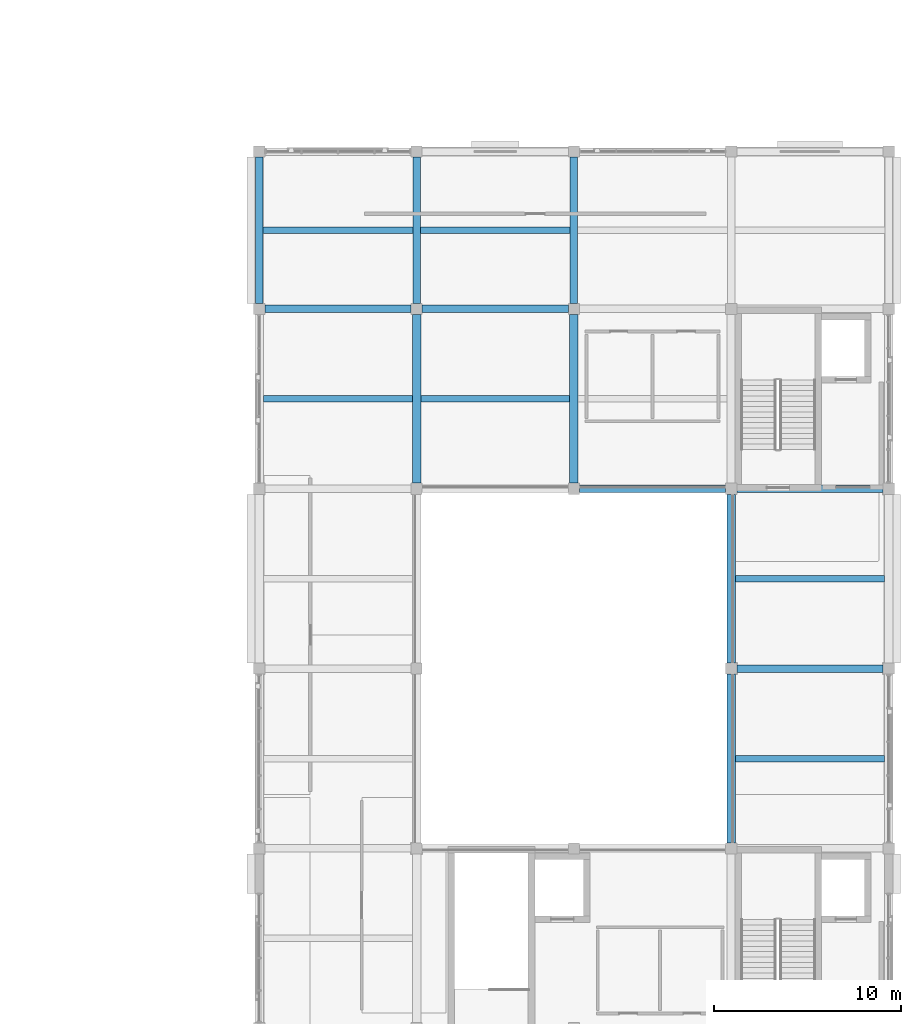
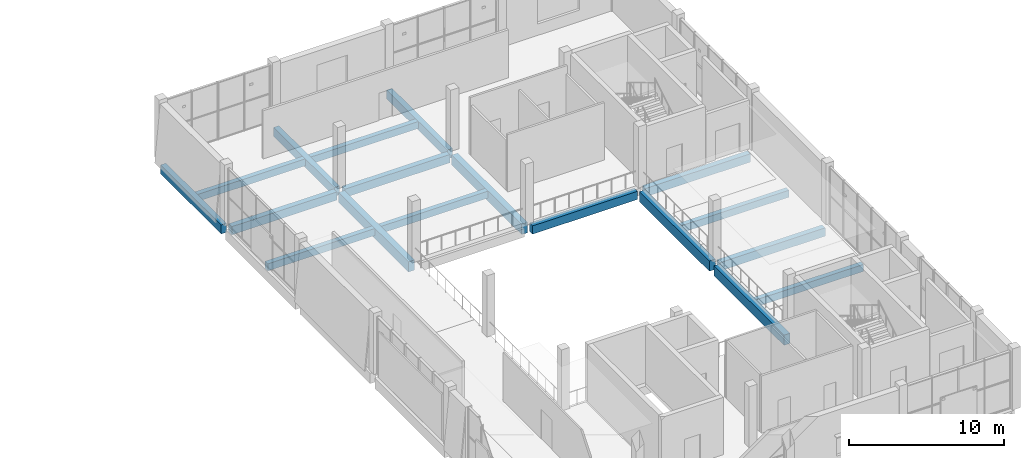
# One storey, part 12 of 37: 18 beams.
"""IFC4 building model written with IfcOpenShell, lengths in metres."""

from ifc_helpers import new_model, si_unit, direction, frame, origin, origin_2d, place, context, subcontext, project, spatial, rectangle, extrude, material, material_profile, profile_set, type_object, element, save


model = new_model("IFC4")

# Units and contexts
model_context = context("Model", 3, precision=1e-05, world=origin(), true_north=direction((0.0, 1.0)))
body_context = subcontext(model_context, "Body", "Model", "MODEL_VIEW")
ifc_project = project(units=[si_unit("LENGTHUNIT", "METRE"), si_unit("AREAUNIT", "SQUARE_METRE"), si_unit("VOLUMEUNIT", "CUBIC_METRE"), si_unit("PLANEANGLEUNIT", "RADIAN"), si_unit("MASSUNIT", "GRAM", prefix="KILO")], contexts=[model_context])

# Site, building, storey
site_placement = place(None, origin())
site = spatial("IfcSite", under=ifc_project, at=site_placement, CompositionType="ELEMENT")
building_placement = place(site_placement, origin())
building = spatial("IfcBuilding", under=site, at=building_placement, Name="Shalvenor Court Art Gallery", CompositionType="ELEMENT")
storey_placement = place(building_placement, frame((0.0, 0.0, 22.199951171875)))
storey = spatial("IfcBuildingStorey", under=building, at=storey_placement, Name="L04", CompositionType="ELEMENT", Elevation=22.199951171875)

# Beams
ifc_material_1 = material(Name="Concrete C40/50", Category="concrete")
ifc_material_profile_1 = material_profile(ifc_material_1, rectangle(XDim=0.449951171875, YDim=0.800048828125, at=origin_2d()), Name="RC 450x800")
ifc_profile_set_1 = profile_set([ifc_material_profile_1], Name="Concrete C40/50")
beam_type_1 = type_object("IfcBeamType", Name="B-03", PredefinedType="BEAM", material=ifc_profile_set_1)
for number, where, z_axis, x_axis, name in (
    (1, (151.199951171875, 79.5, -0.699951171875), (0.0, 1.0, 0.0), (-1.0, 0.0, 0.0), "L04 Girder BM-L04-B-03-1188"),
    (2, (159.60009765625, 79.5, -0.699951171875), (0.0, 1.0, 0.0), (-1.0, 0.0, 0.0), "L04 Girder BM-L04-B-03-1191"),
    (3, (168.0, 60.300048828125, -0.699951171875), (0.0, 1.0, 0.0), (-1.0, 0.0, 0.0), "L04 Girder BM-L04-B-03-1195"),
    (4, (168.0, 69.89990234375, -0.699951171875), (0.0, 1.0, 0.0), (-1.0, 0.0, 0.0), "L04 Girder BM-L04-B-03-1196"),
):
    element("IfcBeam", number, at=place(storey_placement, frame(where, z_axis=z_axis, x_axis=x_axis)), inside=storey, type_object=beam_type_1, Name=name, PredefinedType="BEAM", context=body_context, shape_type="SweptSolid", body=[
        extrude(rectangle(XDim=0.449951171875, YDim=0.800048828125, at=origin_2d()), origin(), (0.0, 0.0, 1.0), 9.0),
    ])
ifc_material_2 = material(Name="Concrete C40/50", Category="concrete")
ifc_material_profile_2 = material_profile(ifc_material_2, rectangle(XDim=0.39990234375, YDim=0.699951171875, at=origin_2d()), Name="RC 400x700")
ifc_profile_set_2 = profile_set([ifc_material_profile_2], Name="Concrete C40/50")
beam_type_2 = type_object("IfcBeamType", Name="B-05", PredefinedType="BEAM", material=ifc_profile_set_2)
for number, where, z_axis, x_axis, name in (
    (5, (142.800048828125, 89.10009765625, -0.64990234375), (0.0, 1.0, 0.0), (-1.0, 0.0, 0.0), "L04 Girder BM-L04-B-05-1183"),
    (6, (151.199951171875, 89.10009765625, -0.64990234375), (0.0, 1.0, 0.0), (-1.0, 0.0, 0.0), "L04 Girder BM-L04-B-05-1189"),
    (7, (159.60009765625, 89.10009765625, -0.64990234375), (0.0, 1.0, 0.0), (-1.0, 0.0, 0.0), "L04 Girder BM-L04-B-05-1192"),
):
    element("IfcBeam", number, at=place(storey_placement, frame(where, z_axis=z_axis, x_axis=x_axis)), inside=storey, type_object=beam_type_2, Name=name, PredefinedType="BEAM", context=body_context, shape_type="SweptSolid", body=[
        extrude(rectangle(XDim=0.39990234375, YDim=0.699951171875, at=origin_2d()), origin(), (0.0, 0.0, 1.0), 7.7998046875),
    ])
ifc_material_3 = material(Name="Concrete C40/50", Category="concrete")
ifc_material_profile_3 = material_profile(ifc_material_3, rectangle(XDim=0.39990234375, YDim=0.64990234375, at=origin_2d()), Name="RC 400x650")
ifc_profile_set_3 = profile_set([ifc_material_profile_3], Name="Concrete C40/50")
beam_type_3 = type_object("IfcBeamType", Name="B-06", PredefinedType="BEAM", material=ifc_profile_set_3)
for number, where, z_axis, x_axis, name in (
    (8, (168.300048828125, 69.60009765625, -0.625), (1.0, 0.0, 0.0), (0.0, 1.0, 0.0), "L04 Girder BM-L04-B-06-1228"),
    (9, (159.89990234375, 79.199951171875, -0.625), (1.0, 0.0, 0.0), (0.0, 1.0, 0.0), "L04 Girder BM-L04-B-06-1231"),
    (10, (168.300048828125, 79.199951171875, -0.625), (1.0, 0.0, 0.0), (0.0, 1.0, 0.0), "L04 Girder BM-L04-B-06-1232"),
):
    element("IfcBeam", number, at=place(storey_placement, frame(where, z_axis=z_axis, x_axis=x_axis)), inside=storey, type_object=beam_type_3, Name=name, PredefinedType="BEAM", context=body_context, shape_type="SweptSolid", body=[
        extrude(rectangle(XDim=0.39990234375, YDim=0.64990234375, at=origin_2d()), origin(), (0.0, 0.0, 1.0), 7.800048828125),
    ])
beam_1_placement = place(storey_placement, frame((143.10009765625, 88.800048828125, -0.625), z_axis=(1.0, 0.0, 0.0), x_axis=(0.0, 1.0, 0.0)))
element("IfcBeam", 11, at=beam_1_placement, inside=storey, type_object=beam_type_3, Name="L04 Girder BM-L04-B-06-1233", PredefinedType="BEAM", context=body_context, shape_type="SweptSolid", body=[
    extrude(rectangle(XDim=0.39990234375, YDim=0.64990234375, at=origin_2d()), origin(), (0.0, 0.0, 1.0), 7.7998046875),
])
beam_2_placement = place(storey_placement, frame((151.5, 88.800048828125, -0.625), z_axis=(1.0, 0.0, 0.0), x_axis=(0.0, 1.0, 0.0)))
element("IfcBeam", 12, at=beam_2_placement, inside=storey, type_object=beam_type_3, Name="L04 Girder BM-L04-B-06-1234", PredefinedType="BEAM", context=body_context, shape_type="SweptSolid", body=[
    extrude(rectangle(XDim=0.39990234375, YDim=0.64990234375, at=origin_2d()), origin(), (0.0, 0.0, 1.0), 7.800048828125),
])
ifc_material_4 = material(Name="Concrete C40/50", Category="concrete")
ifc_material_profile_4 = material_profile(ifc_material_4, rectangle(XDim=0.35009765625, YDim=0.550048828125, at=origin_2d()), Name="RC 350x550")
ifc_profile_set_4 = profile_set([ifc_material_profile_4], Name="Concrete C40/50")
beam_type_4 = type_object("IfcBeamType", Name="J-02", PredefinedType="JOIST", material=ifc_profile_set_4)
beam_3_placement = place(storey_placement, frame((143.02490234375, 84.0, -0.574951171875), z_axis=(1.0, 0.0, 0.0), x_axis=(0.0, 1.0, 0.0)))
element("IfcBeam", 13, at=beam_3_placement, inside=storey, type_object=beam_type_4, Name="L04 Secondary Beam JST-L04-J-02-1261", PredefinedType="JOIST", context=body_context, shape_type="SweptSolid", body=[
    extrude(rectangle(XDim=0.35009765625, YDim=0.550048828125, at=origin_2d()), origin(), (0.0, 0.0, 1.0), 7.9501953125),
])
beam_4_placement = place(storey_placement, frame((143.0, 93.0, -0.574951171875), z_axis=(1.0, 0.0, 0.0), x_axis=(0.0, 1.0, 0.0)))
element("IfcBeam", 14, at=beam_4_placement, inside=storey, type_object=beam_type_4, Name="L04 Secondary Beam JST-L04-J-02-1262", PredefinedType="JOIST", context=body_context, shape_type="SweptSolid", body=[
    extrude(rectangle(XDim=0.35009765625, YDim=0.550048828125, at=origin_2d()), origin(), (0.0, 0.0, 1.0), 8.0),
])
beam_5_placement = place(storey_placement, frame((151.425048828125, 84.0, -0.574951171875), z_axis=(1.0, 0.0, 0.0), x_axis=(0.0, 1.0, 0.0)))
element("IfcBeam", 15, at=beam_5_placement, inside=storey, type_object=beam_type_4, Name="L04 Secondary Beam JST-L04-J-02-1264", PredefinedType="JOIST", context=body_context, shape_type="SweptSolid", body=[
    extrude(rectangle(XDim=0.35009765625, YDim=0.550048828125, at=origin_2d()), origin(), (0.0, 0.0, 1.0), 7.949951171875),
])
beam_6_placement = place(storey_placement, frame((151.39990234375, 93.0, -0.574951171875), z_axis=(1.0, 0.0, 0.0), x_axis=(0.0, 1.0, 0.0)))
element("IfcBeam", 16, at=beam_6_placement, inside=storey, type_object=beam_type_4, Name="L04 Secondary Beam JST-L04-J-02-1265", PredefinedType="JOIST", context=body_context, shape_type="SweptSolid", body=[
    extrude(rectangle(XDim=0.35009765625, YDim=0.550048828125, at=origin_2d()), origin(), (0.0, 0.0, 1.0), 8.0),
])
for number, where, z_axis, x_axis, name in (
    (17, (168.22509765625, 64.800048828125, -0.574951171875), (1.0, 0.0, 0.0), (0.0, 1.0, 0.0), "L04 Secondary Beam JST-L04-J-02-1270"),
    (18, (168.22509765625, 74.39990234375, -0.574951171875), (1.0, 0.0, 0.0), (0.0, 1.0, 0.0), "L04 Secondary Beam JST-L04-J-02-1271"),
):
    element("IfcBeam", number, at=place(storey_placement, frame(where, z_axis=z_axis, x_axis=x_axis)), inside=storey, type_object=beam_type_4, Name=name, PredefinedType="JOIST", context=body_context, shape_type="SweptSolid", body=[
        extrude(rectangle(XDim=0.35009765625, YDim=0.550048828125, at=origin_2d()), origin(), (0.0, 0.0, 1.0), 7.949951171875),
    ])

save(model, "model.ifc")
